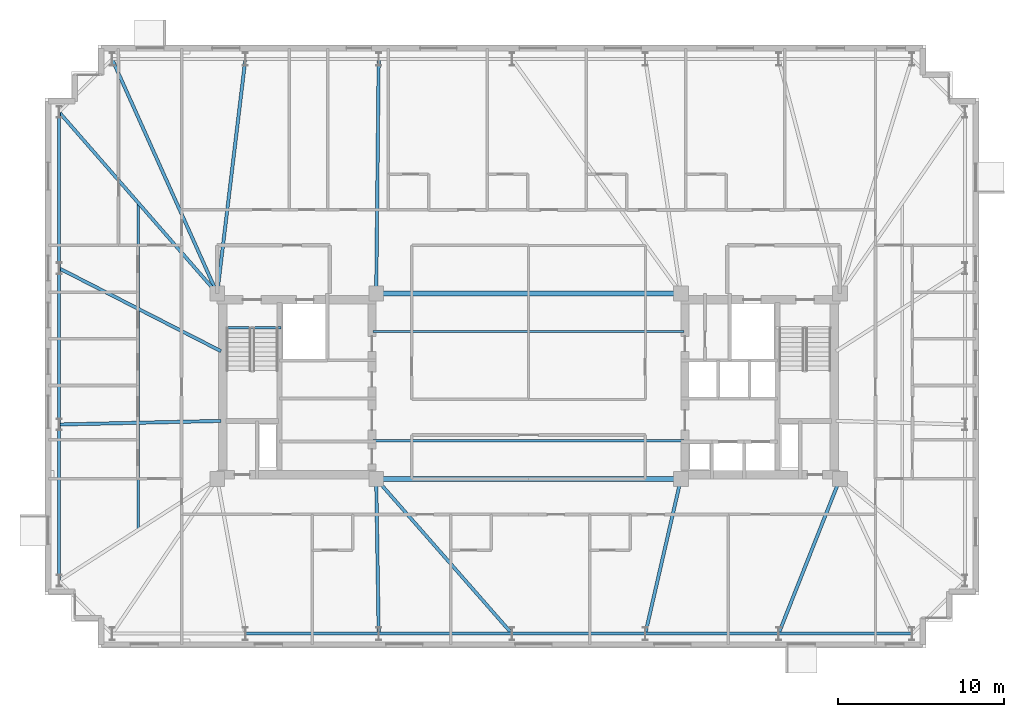
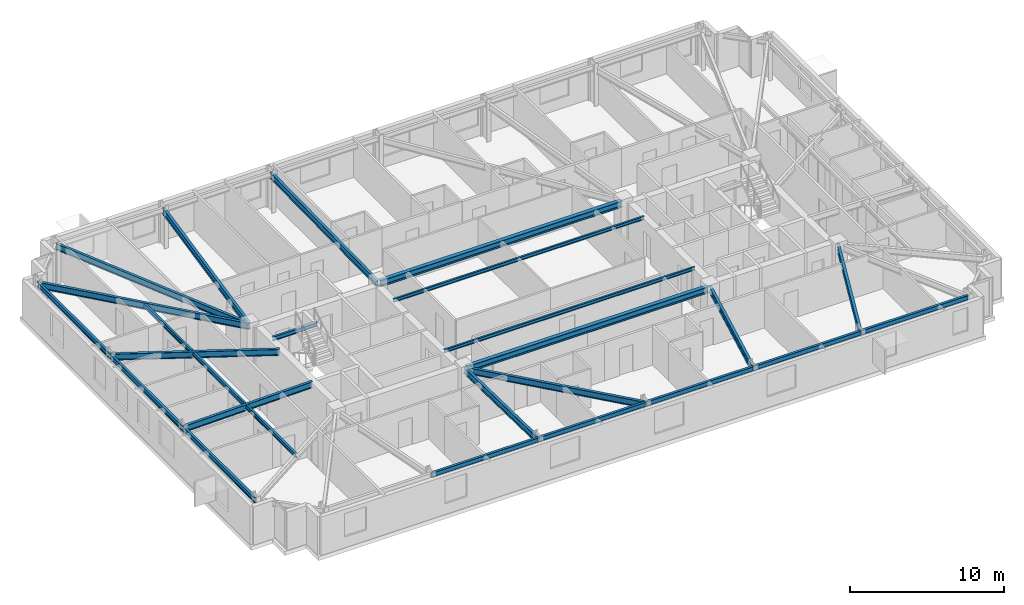
# One storey, part 4 of 19: 24 beams.
"""IFC4 building model written with IfcOpenShell, lengths in metres."""

from ifc_helpers import new_model, si_unit, direction, frame, origin, origin_2d, place, context, subcontext, project, spatial, i_section, extrude, material, material_profile, profile_set, type_object, element, save


model = new_model("IFC4")

# Units and contexts
model_context = context("Model", 3, precision=1e-05, world=origin(), true_north=direction((0.0, 1.0)))
body_context = subcontext(model_context, "Body", "Model", "MODEL_VIEW")
ifc_project = project(units=[si_unit("LENGTHUNIT", "METRE"), si_unit("AREAUNIT", "SQUARE_METRE"), si_unit("VOLUMEUNIT", "CUBIC_METRE"), si_unit("PLANEANGLEUNIT", "RADIAN"), si_unit("MASSUNIT", "GRAM", prefix="KILO")], contexts=[model_context])

# Site, building, storey
site_placement = place(None, origin())
site = spatial("IfcSite", under=ifc_project, at=site_placement, CompositionType="ELEMENT")
building_placement = place(site_placement, origin())
building = spatial("IfcBuilding", under=site, at=building_placement, Name="Qobustan Lattice House", CompositionType="ELEMENT")
storey_placement = place(building_placement, frame((0.0, 0.0, 137.699951171875)))
storey = spatial("IfcBuildingStorey", under=building, at=storey_placement, Name="L38", CompositionType="ELEMENT", Elevation=137.699951171875)

# Beams
ifc_material_1 = material(Name="Steel S355", Category="steel")
ifc_material_profile_1 = material_profile(ifc_material_1, i_section(OverallWidth=0.300048828125, OverallDepth=0.5, WebThickness=0.014404296875, FlangeThickness=0.028076171875, FilletRadius=0.027099609375, at=origin_2d()), Name="HEB500")
ifc_profile_set_1 = profile_set([ifc_material_profile_1], Name="Steel S355")
beam_type_1 = type_object("IfcBeamType", Name="BM-CG-HEB500", PredefinedType="USERDEFINED", material=ifc_profile_set_1)
for number, where, z_axis, x_axis, name in (
    (1, (-9.050048828125, -5.60009765625, 2.7900390625), (1.0, 0.0, 0.0), (0.0, 1.0, 0.0), "L38 core spine girder CG-CS"),
    (2, (-9.050048828125, 5.60009765625, 2.7900390625), (1.0, 0.0, 0.0), (0.0, 1.0, 0.0), "L38 core spine girder CG-CN"),
):
    element("IfcBeam", number, at=place(storey_placement, frame(where, z_axis=z_axis, x_axis=x_axis)), inside=storey, type_object=beam_type_1, Name=name, ObjectType="GIRDER", PredefinedType="USERDEFINED", context=body_context, shape_type="SweptSolid", body=[
        extrude(i_section(OverallWidth=0.300048828125, OverallDepth=0.5, WebThickness=0.014404296875, FlangeThickness=0.028076171875, FilletRadius=0.027099609375, at=origin_2d()), origin(), (0.0, 0.0, 1.0), 18.10009765625),
    ])
ifc_material_2 = material(Name="Steel S355", Category="steel")
ifc_material_profile_2 = material_profile(ifc_material_2, i_section(OverallWidth=0.199951171875, OverallDepth=0.5, WebThickness=0.01025390625, FlangeThickness=0.01611328125, FilletRadius=0.02099609375, at=origin_2d()), Name="IPE500")
ifc_profile_set_2 = profile_set([ifc_material_profile_2], Name="Steel S355")
beam_type_2 = type_object("IfcBeamType", Name="BM-FLG-IPE500", PredefinedType="USERDEFINED", material=ifc_profile_set_2)
beam_1_placement = place(storey_placement, frame((-9.05029296875, -14.925048828125, 2.7900390625), z_axis=(-0.016063870849, 0.999870967702, 0.0), x_axis=(-0.999870967702, -0.016063870849, 0.0)))
element("IfcBeam", 3, at=beam_1_placement, inside=storey, type_object=beam_type_2, Name="L38 primary floor girder RAD-S3", ObjectType="GIRDER", PredefinedType="USERDEFINED", context=body_context, shape_type="SweptSolid", body=[
    extrude(i_section(OverallWidth=0.199951171875, OverallDepth=0.5, WebThickness=0.01025390625, FlangeThickness=0.01611328125, FilletRadius=0.02099609375, at=origin_2d()), origin(), (0.0, 0.0, 1.0), 9.30126953125),
])
beam_2_placement = place(storey_placement, frame((-1.0166015625, -14.93115234375, 2.7900390625), z_axis=(-0.659362380156, 0.751825279992, 0.0), x_axis=(-0.751825279992, -0.659362380156, 0.0)))
element("IfcBeam", 4, at=beam_2_placement, inside=storey, type_object=beam_type_2, Name="L38 primary floor girder RAD-S4", ObjectType="GIRDER", PredefinedType="USERDEFINED", context=body_context, shape_type="SweptSolid", body=[
    extrude(i_section(OverallWidth=0.199951171875, OverallDepth=0.5, WebThickness=0.01025390625, FlangeThickness=0.01611328125, FilletRadius=0.02099609375, at=origin_2d()), origin(), (0.0, 0.0, 1.0), 12.38623046875),
])
beam_3_placement = place(storey_placement, frame((7.0556640625, -14.925537109375, 2.7900390625), z_axis=(0.224091568854, 0.974568093449, 0.0), x_axis=(-0.974568093449, 0.224091568854, 0.0)))
element("IfcBeam", 5, at=beam_3_placement, inside=storey, type_object=beam_type_2, Name="L38 primary floor girder RAD-S5", ObjectType="GIRDER", PredefinedType="USERDEFINED", context=body_context, shape_type="SweptSolid", body=[
    extrude(i_section(OverallWidth=0.199951171875, OverallDepth=0.5, WebThickness=0.01025390625, FlangeThickness=0.01611328125, FilletRadius=0.02099609375, at=origin_2d()), origin(), (0.0, 0.0, 1.0), 9.543701171875),
])
beam_4_placement = place(storey_placement, frame((15.109130859375, -14.9267578125, 2.7900390625), z_axis=(0.367963628184, 0.929840184297, 0.0), x_axis=(-0.929840184297, 0.367963628184, 0.0)))
element("IfcBeam", 6, at=beam_4_placement, inside=storey, type_object=beam_type_2, Name="L38 primary floor girder RAD-S6", ObjectType="GIRDER", PredefinedType="USERDEFINED", context=body_context, shape_type="SweptSolid", body=[
    extrude(i_section(OverallWidth=0.199951171875, OverallDepth=0.5, WebThickness=0.01025390625, FlangeThickness=0.01611328125, FilletRadius=0.02099609375, at=origin_2d()), origin(), (0.0, 0.0, 1.0), 10.00537109375),
])
beam_5_placement = place(storey_placement, frame((-25.139892578125, 19.727294921875, 2.7900390625), z_axis=(0.409426782108, -0.912342978321, 0.0), x_axis=(0.912342978321, 0.409426782108, 0.0)))
element("IfcBeam", 7, at=beam_5_placement, inside=storey, type_object=beam_type_2, Name="L38 primary floor girder RAD-N7W", ObjectType="GIRDER", PredefinedType="USERDEFINED", context=body_context, shape_type="SweptSolid", body=[
    extrude(i_section(OverallWidth=0.199951171875, OverallDepth=0.5, WebThickness=0.01025390625, FlangeThickness=0.01611328125, FilletRadius=0.02099609375, at=origin_2d()), origin(), (0.0, 0.0, 1.0), 15.459716796875),
])
beam_6_placement = place(storey_placement, frame((-17.10302734375, 19.72509765625, 2.7900390625), z_axis=(-0.119287572963, -0.992859745854, 0.0), x_axis=(0.992859745854, -0.119287572963, 0.0)))
element("IfcBeam", 8, at=beam_6_placement, inside=storey, type_object=beam_type_2, Name="L38 primary floor girder RAD-N6", ObjectType="GIRDER", PredefinedType="USERDEFINED", context=body_context, shape_type="SweptSolid", body=[
    extrude(i_section(OverallWidth=0.199951171875, OverallDepth=0.5, WebThickness=0.01025390625, FlangeThickness=0.01611328125, FilletRadius=0.02099609375, at=origin_2d()), origin(), (0.0, 0.0, 1.0), 14.20166015625),
])
beam_7_placement = place(storey_placement, frame((-9.05029296875, 19.72509765625, 2.7900390625), z_axis=(-0.010596073732, -0.999943860035, 0.0), x_axis=(0.999943860035, -0.010596073732, 0.0)))
element("IfcBeam", 9, at=beam_7_placement, inside=storey, type_object=beam_type_2, Name="L38 primary floor girder RAD-N5", ObjectType="GIRDER", PredefinedType="USERDEFINED", context=body_context, shape_type="SweptSolid", body=[
    extrude(i_section(OverallWidth=0.199951171875, OverallDepth=0.5, WebThickness=0.01025390625, FlangeThickness=0.01611328125, FilletRadius=0.02099609375, at=origin_2d()), origin(), (0.0, 0.0, 1.0), 14.100830078125),
])
beam_8_placement = place(storey_placement, frame((-28.33349609375, 16.53125, 2.7900390625), z_axis=(0.657282573618, -0.75364422536, 0.0), x_axis=(0.75364422536, 0.657282573618, 0.0)))
element("IfcBeam", 10, at=beam_8_placement, inside=storey, type_object=beam_type_2, Name="L38 primary floor girder RAD-W1", ObjectType="GIRDER", PredefinedType="USERDEFINED", context=body_context, shape_type="SweptSolid", body=[
    extrude(i_section(OverallWidth=0.199951171875, OverallDepth=0.5, WebThickness=0.01025390625, FlangeThickness=0.01611328125, FilletRadius=0.02099609375, at=origin_2d()), origin(), (0.0, 0.0, 1.0), 14.4794921875),
])
beam_9_placement = place(storey_placement, frame((-28.32763671875, 7.105224609375, 2.7900390625), z_axis=(0.89014541584, -0.455676572426, 0.0), x_axis=(0.455676572426, 0.89014541584, 0.0)))
element("IfcBeam", 11, at=beam_9_placement, inside=storey, type_object=beam_type_2, Name="L38 primary floor girder RAD-W2", ObjectType="GIRDER", PredefinedType="USERDEFINED", context=body_context, shape_type="SweptSolid", body=[
    extrude(i_section(OverallWidth=0.199951171875, OverallDepth=0.5, WebThickness=0.01025390625, FlangeThickness=0.01611328125, FilletRadius=0.02099609375, at=origin_2d()), origin(), (0.0, 0.0, 1.0), 10.959228515625),
])
beam_10_placement = place(storey_placement, frame((-28.324951171875, -2.316162109375, 2.7900390625), z_axis=(0.999755655209, 0.022104974047, 0.0), x_axis=(-0.022104974047, 0.999755655209, 0.0)))
element("IfcBeam", 12, at=beam_10_placement, inside=storey, type_object=beam_type_2, Name="L38 primary floor girder RAD-W3", ObjectType="GIRDER", PredefinedType="USERDEFINED", context=body_context, shape_type="SweptSolid", body=[
    extrude(i_section(OverallWidth=0.199951171875, OverallDepth=0.5, WebThickness=0.01025390625, FlangeThickness=0.01611328125, FilletRadius=0.02099609375, at=origin_2d()), origin(), (0.0, 0.0, 1.0), 9.75244140625),
])
ifc_material_3 = material(Name="Steel S355", Category="steel")
ifc_material_profile_3 = material_profile(ifc_material_3, i_section(OverallWidth=0.135009765625, OverallDepth=0.27001953125, WebThickness=0.006591796875, FlangeThickness=0.01025390625, FilletRadius=0.014892578125, at=origin_2d()), Name="IPE270")
ifc_profile_set_3 = profile_set([ifc_material_profile_3], Name="Steel S355")
beam_type_3 = type_object("IfcBeamType", Name="BM-JST-IPE270", PredefinedType="JOIST", material=ifc_profile_set_3)
for number, where, z_axis, x_axis, name in (
    (13, (-9.39990234375, -3.300048828125, 2.905029296875), (1.0, 0.0, 0.0), (0.0, 1.0, 0.0), "L38 central span floor joist 1"),
    (14, (-9.39990234375, 3.300048828125, 2.905029296875), (1.0, 0.0, 0.0), (0.0, 1.0, 0.0), "L38 central span floor joist 2"),
):
    element("IfcBeam", number, at=place(storey_placement, frame(where, z_axis=z_axis, x_axis=x_axis)), inside=storey, type_object=beam_type_3, Name=name, PredefinedType="JOIST", context=body_context, shape_type="SweptSolid", body=[
        extrude(i_section(OverallWidth=0.135009765625, OverallDepth=0.27001953125, WebThickness=0.006591796875, FlangeThickness=0.01025390625, FilletRadius=0.014892578125, at=origin_2d()), origin(), (0.0, 0.0, 1.0), 18.7998046875),
    ])
ifc_material_4 = material(Name="Steel S355", Category="steel")
ifc_material_profile_4 = material_profile(ifc_material_4, i_section(OverallWidth=0.159912109375, OverallDepth=0.330078125, WebThickness=0.007568359375, FlangeThickness=0.011474609375, FilletRadius=0.01806640625, at=origin_2d()), Name="IPE330")
ifc_profile_set_4 = profile_set([ifc_material_profile_4], Name="Steel S355")
beam_type_4 = type_object("IfcBeamType", Name="BM-SEC-IPE330", PredefinedType="BEAM", material=ifc_profile_set_4)
beam_11_placement = place(storey_placement, frame((-23.574951171875, 11.074951171875, 2.875), z_axis=(0.0, -1.0, 0.0), x_axis=(1.0, 0.0, 0.0)))
element("IfcBeam", 15, at=beam_11_placement, inside=storey, type_object=beam_type_4, Name="L38 west wing secondary beam", PredefinedType="BEAM", context=body_context, shape_type="SweptSolid", body=[
    extrude(i_section(OverallWidth=0.159912109375, OverallDepth=0.330078125, WebThickness=0.007568359375, FlangeThickness=0.011474609375, FilletRadius=0.01806640625, at=origin_2d()), origin(), (0.0, 0.0, 1.0), 19.75),
])
ifc_material_5 = material(Name="Steel S355", Category="steel")
ifc_material_profile_5 = material_profile(ifc_material_5, i_section(OverallWidth=0.159912109375, OverallDepth=0.330078125, WebThickness=0.007568359375, FlangeThickness=0.011474609375, FilletRadius=0.01806640625, at=origin_2d()), Name="IPE330")
ifc_profile_set_5 = profile_set([ifc_material_profile_5], Name="Steel S355")
beam_type_5 = type_object("IfcBeamType", Name="BM-SPD-IPE330", PredefinedType="SPANDREL", material=ifc_profile_set_5)
beam_12_placement = place(storey_placement, frame((-18.300048828125, 3.52001953125, 2.875), z_axis=(1.0, 0.0, 0.0), x_axis=(0.0, 1.0, 0.0)))
element("IfcBeam", 16, at=beam_12_placement, inside=storey, type_object=beam_type_5, Name="L38 west stair landing trimmer beam", PredefinedType="SPANDREL", context=body_context, shape_type="SweptSolid", body=[
    extrude(i_section(OverallWidth=0.159912109375, OverallDepth=0.330078125, WebThickness=0.007568359375, FlangeThickness=0.011474609375, FilletRadius=0.01806640625, at=origin_2d()), origin(), (0.0, 0.0, 1.0), 3.35009765625),
])
ifc_material_6 = material(Name="Steel S355", Category="steel")
ifc_material_profile_6 = material_profile(ifc_material_6, i_section(OverallWidth=0.179931640625, OverallDepth=0.39990234375, WebThickness=0.008544921875, FlangeThickness=0.013427734375, FilletRadius=0.02099609375, at=origin_2d()), Name="IPE400")
ifc_profile_set_6 = profile_set([ifc_material_profile_6], Name="Steel S355")
beam_type_6 = type_object("IfcBeamType", Name="BM-SPD-IPE400", PredefinedType="SPANDREL", material=ifc_profile_set_6)
for number, where, z_axis, x_axis, name in (
    (17, (-17.074951171875, -14.949951171875, 2.840087890625), (1.0, 0.0, 0.0), (0.0, 1.0, 0.0), "L38 perimeter spandrel S2-S3"),
    (18, (-9.02490234375, -14.949951171875, 2.840087890625), (1.0, 0.0, 0.0), (0.0, 1.0, 0.0), "L38 perimeter spandrel S3-S4"),
    (19, (-0.97509765625, -14.949951171875, 2.840087890625), (1.0, 0.0, 0.0), (0.0, 1.0, 0.0), "L38 perimeter spandrel S4-S5"),
    (20, (7.074951171875, -14.949951171875, 2.840087890625), (1.0, 0.0, 0.0), (0.0, 1.0, 0.0), "L38 perimeter spandrel S5-S6"),
    (21, (15.125, -14.949951171875, 2.840087890625), (1.0, 0.0, 0.0), (0.0, 1.0, 0.0), "L38 perimeter spandrel S6-S7"),
):
    element("IfcBeam", number, at=place(storey_placement, frame(where, z_axis=z_axis, x_axis=x_axis)), inside=storey, type_object=beam_type_6, Name=name, PredefinedType="SPANDREL", context=body_context, shape_type="SweptSolid", body=[
        extrude(i_section(OverallWidth=0.179931640625, OverallDepth=0.39990234375, WebThickness=0.008544921875, FlangeThickness=0.013427734375, FilletRadius=0.02099609375, at=origin_2d()), origin(), (0.0, 0.0, 1.0), 8.0),
    ])
beam_13_placement = place(storey_placement, frame((-28.35009765625, 16.52490234375, 2.840087890625), z_axis=(0.0, -1.0, 0.0), x_axis=(1.0, 0.0, 0.0)))
element("IfcBeam", 22, at=beam_13_placement, inside=storey, type_object=beam_type_6, Name="L38 perimeter spandrel W1-W2", PredefinedType="SPANDREL", context=body_context, shape_type="SweptSolid", body=[
    extrude(i_section(OverallWidth=0.179931640625, OverallDepth=0.39990234375, WebThickness=0.008544921875, FlangeThickness=0.013427734375, FilletRadius=0.02099609375, at=origin_2d()), origin(), (0.0, 0.0, 1.0), 9.38330078125),
])
beam_14_placement = place(storey_placement, frame((-28.35009765625, 7.091796875, 2.840087890625), z_axis=(0.0, -1.0, 0.0), x_axis=(1.0, 0.0, 0.0)))
element("IfcBeam", 23, at=beam_14_placement, inside=storey, type_object=beam_type_6, Name="L38 perimeter spandrel W2-W3", PredefinedType="SPANDREL", context=body_context, shape_type="SweptSolid", body=[
    extrude(i_section(OverallWidth=0.179931640625, OverallDepth=0.39990234375, WebThickness=0.008544921875, FlangeThickness=0.013427734375, FilletRadius=0.02099609375, at=origin_2d()), origin(), (0.0, 0.0, 1.0), 9.383544921875),
])
beam_15_placement = place(storey_placement, frame((-28.35009765625, -2.341796875, 2.840087890625), z_axis=(0.0, -1.0, 0.0), x_axis=(1.0, 0.0, 0.0)))
element("IfcBeam", 24, at=beam_15_placement, inside=storey, type_object=beam_type_6, Name="L38 perimeter spandrel W3-W4", PredefinedType="SPANDREL", context=body_context, shape_type="SweptSolid", body=[
    extrude(i_section(OverallWidth=0.179931640625, OverallDepth=0.39990234375, WebThickness=0.008544921875, FlangeThickness=0.013427734375, FilletRadius=0.02099609375, at=origin_2d()), origin(), (0.0, 0.0, 1.0), 9.38330078125),
])

save(model, "model.ifc")
